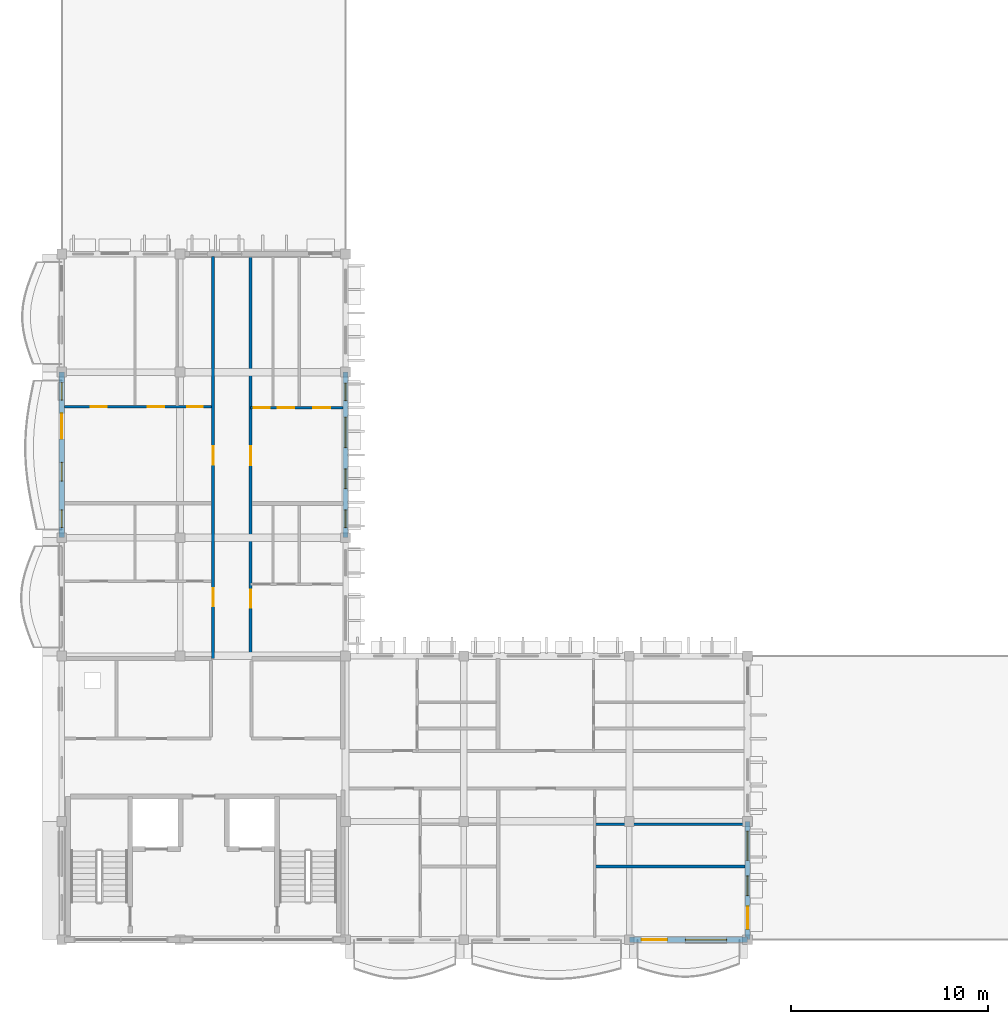
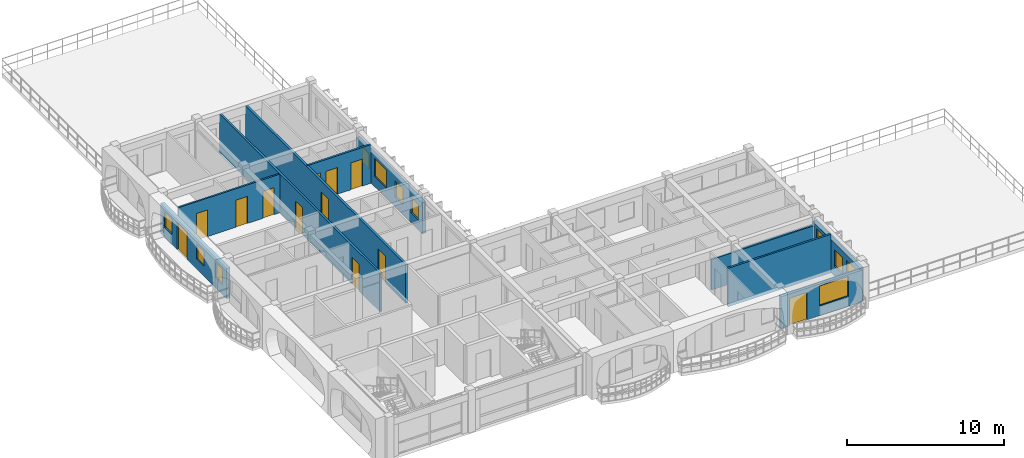
# One storey, part 15 of 59: 13 doors, 10 walls, 10 windows, 23 openings.
"""IFC4 building model written with IfcOpenShell, lengths in metres."""

import ifcopenshell
import ifcopenshell.guid

model = None  # the IFC model being written
_history = None  # IfcOwnerHistory: only IFC2X3 demands one
_inside = {}  # id of a spatial element -> (the spatial element, [elements in it])
_under = {}  # id of a project, library or spatial element -> (it, [spatial elements below it])
_declared = {}  # id of a project -> (the project, [libraries it declares])
_typed = {}  # id of a type object -> (the type object, [elements of that type])
_made_of = {}  # id of a material, layer set ... -> (it, [elements and type objects made of it])


def new_model(schema):
    """Start an empty IFC model of exactly this schema.

    Asked for "IFC4X3", IfcOpenShell would pick the latest addendum, in which some entities
    have other attributes; the version numbers below select the first issue.
    IFC2X3 requires an IfcOwnerHistory on every rooted entity: one is made here for all.
    """
    global model, _history
    if schema == "IFC4X3":
        model = ifcopenshell.file(schema_version=(4, 3, 0, 0))
    else:
        model = ifcopenshell.file(schema=schema)
    _inside.clear()
    _under.clear()
    _declared.clear()
    _typed.clear()
    _made_of.clear()
    _history = None
    if model.schema == "IFC2X3":
        org = make("IfcOrganization", Name="unknown")
        user = make(
            "IfcPersonAndOrganization",
            ThePerson=make("IfcPerson", FamilyName="unknown"),
            TheOrganization=org,
        )
        app = make(
            "IfcApplication",
            ApplicationDeveloper=org,
            Version="unknown",
            ApplicationFullName="unknown",
            ApplicationIdentifier="unknown",
        )
        _history = make(
            "IfcOwnerHistory",
            OwningUser=user,
            OwningApplication=app,
            ChangeAction="ADDED",
            CreationDate=0,
        )
    return model


def make(cls, **values):
    """One entity of the class cls with the attributes given. An attribute that is None is left unset."""
    return model.create_entity(
        cls, **{name: value for name, value in values.items() if value is not None}
    )


def rooted(cls, **values):
    """An entity with a GlobalId (a new one), such as an element, a storey or a relation."""
    return make(cls, GlobalId=ifcopenshell.guid.new(), OwnerHistory=_history, **values)


def si_unit(unit_type, name, prefix=None):
    """IfcSIUnit, for example si_unit("LENGTHUNIT", "METRE", prefix="MILLI")."""
    return make("IfcSIUnit", UnitType=unit_type, Prefix=prefix, Name=name)


def assignment(units):
    """IfcUnitAssignment: the units of a project."""
    return None if units is None else make("IfcUnitAssignment", Units=units)


def point(xyz):
    """IfcCartesianPoint."""
    return None if xyz is None else make("IfcCartesianPoint", Coordinates=xyz)


def direction(xyz):
    """IfcDirection."""
    return None if xyz is None else make("IfcDirection", DirectionRatios=xyz)


def frame(location, z_axis=None, x_axis=None):
    """IfcAxis2Placement3D, a coordinate frame: its origin and axes. An axis left out is left unset."""
    return make(
        "IfcAxis2Placement3D",
        Location=point(location),
        Axis=direction(z_axis),
        RefDirection=direction(x_axis),
    )


def frame_2d(location, x_axis=None):
    """IfcAxis2Placement2D, a coordinate frame in the plane: its origin and x axis."""
    return make(
        "IfcAxis2Placement2D", Location=point(location), RefDirection=direction(x_axis)
    )


def origin():
    """The frame at (0, 0, 0) with its axes left unset."""
    return frame((0.0, 0.0, 0.0))


def place(relative_to, where):
    """IfcLocalPlacement: puts the frame where relative to a parent placement (None: the world)."""
    return make(
        "IfcLocalPlacement", PlacementRelTo=relative_to, RelativePlacement=where
    )


def context(
    kind, dimensions, precision=None, world=None, true_north=None, identifier=None
):
    """IfcGeometricRepresentationContext, for example the 3D "Model" context."""
    return make(
        "IfcGeometricRepresentationContext",
        ContextIdentifier=identifier,
        ContextType=kind,
        CoordinateSpaceDimension=dimensions,
        Precision=precision,
        WorldCoordinateSystem=world,
        TrueNorth=true_north,
    )


def subcontext(parent, identifier, kind, view, scale=None):
    """IfcGeometricRepresentationSubContext, for example "Body" below "Model"."""
    return make(
        "IfcGeometricRepresentationSubContext",
        ContextIdentifier=identifier,
        ContextType=kind,
        ParentContext=parent,
        TargetScale=scale,
        TargetView=view,
    )


def project(units=None, contexts=None):
    """IfcProject with its units and contexts."""
    return rooted(
        "IfcProject",
        Name="project",
        RepresentationContexts=contexts,
        UnitsInContext=assignment(units),
    )


def spatial(cls, under=None, at=None, **own):
    """A site, building, storey or space (cls), placed at a placement, below another one or the project."""
    s = rooted(cls, ObjectPlacement=at, **own)
    if under is not None:
        _under.setdefault(under.id(), (under, []))[1].append(s)
    return s


def profile(cls, at=None, kind="AREA", **sizes):
    """A parametric profile (cls). Its sizes go by their IFC names, for example OverallWidth=200.0."""
    return make(cls, ProfileType=kind, Position=at, **sizes)


def rectangle(**sizes):
    """IfcRectangleProfileDef."""
    return profile("IfcRectangleProfileDef", **sizes)


def extrude(swept, where, along, depth):
    """IfcExtrudedAreaSolid: the profile swept, set in the frame where, extruded along a direction by depth."""
    return make(
        "IfcExtrudedAreaSolid",
        SweptArea=swept,
        Position=where,
        ExtrudedDirection=direction(along),
        Depth=depth,
    )


def shape(context_of_items, identifier, shape_type, items):
    """IfcShapeRepresentation: the items that make up one representation, for example the "Body"."""
    return make(
        "IfcShapeRepresentation",
        ContextOfItems=context_of_items,
        RepresentationIdentifier=identifier,
        RepresentationType=shape_type,
        Items=items,
    )


def material(Name=None, Category=None):
    """IfcMaterial."""
    return make("IfcMaterial", Name=Name, Category=Category)


def layer(
    of_material, thickness, ventilated=None, Name=None, Category=None, Priority=None
):
    """IfcMaterialLayer: one layer of a wall or slab, of a material (None: an air gap)."""
    return make(
        "IfcMaterialLayer",
        Material=of_material,
        LayerThickness=thickness,
        IsVentilated=ventilated,
        Name=Name,
        Category=Category,
        Priority=Priority,
    )


def layer_set(layers, Name=None):
    """IfcMaterialLayerSet."""
    return make("IfcMaterialLayerSet", MaterialLayers=layers, LayerSetName=Name)


def made_of(thing, what):
    """Note that an element or type object is made of a material, layer set ...; save() writes the relation."""
    if what is not None:
        _made_of.setdefault(what.id(), (what, []))[1].append(thing)
    return thing


def type_object(cls, material=None, **own):
    """A type object (cls), such as IfcWallType, which elements share."""
    return made_of(rooted(cls, **own), material)


def element(
    cls,
    number,
    at=None,
    inside=None,
    cuts=None,
    type_object=None,
    material=None,
    context=None,
    identifier="Body",
    shape_type=None,
    held_by="IfcProductDefinitionShape",
    body=None,
    shapes=None,
    **own,
):
    """One element of the class cls, such as IfcWall. Its Tag is "e" and its number.

    at: its placement. inside: the storey or other place that contains it. cuts: it is an
    opening in that element (IfcRelVoidsElement). A single representation is given by context,
    identifier, shape_type and body (its items); several are given by shapes. held_by: the class
    of the entity that holds the representations. save() writes the other relations.
    """
    e = rooted(cls, Tag="e%d" % number, ObjectPlacement=at, **own)
    if body is not None:
        shapes = [shape(context, identifier, shape_type, body)]
    if shapes is not None:
        e.Representation = make(held_by, Representations=shapes)
    if inside is not None:
        _inside.setdefault(inside.id(), (inside, []))[1].append(e)
    if cuts is not None:
        rooted(
            "IfcRelVoidsElement", RelatingBuildingElement=cuts, RelatedOpeningElement=e
        )
    if type_object is not None:
        _typed.setdefault(type_object.id(), (type_object, []))[1].append(e)
    return made_of(e, material)


def fill(opening, filler):
    """IfcRelFillsElement: the door or window that sits in an opening."""
    return rooted(
        "IfcRelFillsElement",
        RelatingOpeningElement=opening,
        RelatedBuildingElement=filler,
    )


def aggregate(whole, parts):
    """IfcRelAggregates: a whole, such as a stair, and the parts it consists of."""
    return rooted("IfcRelAggregates", RelatingObject=whole, RelatedObjects=parts)


def save(model, path):
    """Write the relations noted so far, then the file.

    IfcRelAggregates (storeys below a building ...), IfcRelContainedInSpatialStructure (elements
    in a storey), IfcRelDefinesByType, IfcRelAssociatesMaterial and IfcRelDeclares: one each for
    every whole, place, type object, material and project.
    """
    for whole, parts in _under.values():
        aggregate(whole, parts)
    for where, things in _inside.values():
        rooted(
            "IfcRelContainedInSpatialStructure",
            RelatedElements=things,
            RelatingStructure=where,
        )
    for kind, things in _typed.values():
        rooted("IfcRelDefinesByType", RelatedObjects=things, RelatingType=kind)
    for what, things in _made_of.values():
        rooted("IfcRelAssociatesMaterial", RelatedObjects=things, RelatingMaterial=what)
    for by, libraries in _declared.values():
        rooted("IfcRelDeclares", RelatingContext=by, RelatedDefinitions=libraries)
    model.write(path)


model = new_model("IFC4")

# Units and contexts
model_context = context("Model", 3, precision=1e-05, world=origin(), true_north=direction((0.0, 1.0)))
body_context = subcontext(model_context, "Body", "Model", "MODEL_VIEW")
ifc_project = project(units=[si_unit("LENGTHUNIT", "METRE"), si_unit("AREAUNIT", "SQUARE_METRE"), si_unit("VOLUMEUNIT", "CUBIC_METRE"), si_unit("PLANEANGLEUNIT", "RADIAN"), si_unit("MASSUNIT", "GRAM", prefix="KILO"), si_unit("THERMODYNAMICTEMPERATUREUNIT", "KELVIN")], contexts=[model_context])

# Site, building, storey
site_placement = place(None, origin())
site = spatial("IfcSite", under=ifc_project, at=site_placement, CompositionType="ELEMENT")
building_placement = place(site_placement, origin())
building = spatial("IfcBuilding", under=site, at=building_placement, Name="Thalorik Housing Commons", CompositionType="ELEMENT")
storey_placement = place(building_placement, frame((0.0, 0.0, 27.89990234375)))
storey = spatial("IfcBuildingStorey", under=building, at=storey_placement, Name="L08", CompositionType="ELEMENT", Elevation=27.89990234375)

# Wall, openings, doors
ifc_material_1 = material(Name="Masonry fire-rated corridor wall", Category="masonry")
ifc_layer_1 = layer(ifc_material_1, 0.14990234375, Name="Masonry fire-rated corridor wall", Category="masonry")
ifc_layer_set_1 = layer_set([ifc_layer_1], Name="Masonry fire-rated corridor wall")
wall_type_1 = type_object("IfcWallType", Name="ARC-WAL-CORR-150", PredefinedType="PARTITIONING", material=ifc_layer_set_1)
wall_1_placement = place(storey_placement, frame((16.080078125, 22.659912109375, 0.0), z_axis=(0.0, 0.0, 1.0), x_axis=(0.0, 1.0, 0.0)))
wall_1 = element("IfcWall", 1, at=wall_1_placement, inside=storey, type_object=wall_type_1, Name="L08 Block C W Corridor Wall 1", PredefinedType="PARTITIONING", context=body_context, shape_type="SweptSolid", body=[
    extrude(rectangle(XDim=20.405517578125, YDim=0.14990234375, at=frame_2d((10.20263671875, 0.0))), origin(), (0.0, 0.0, 1.0), 3.0),
])
opening_1_placement = place(wall_1_placement, frame((2.652587890625, 0.0, 0.0)))
opening_1 = element("IfcOpeningElement", 2, at=opening_1_placement, cuts=wall_1, Name="Opening ID-1902", PredefinedType="OPENING", context=body_context, shape_type="SweptSolid", body=[
    extrude(rectangle(XDim=0.919921875, YDim=2.10009765625, at=frame_2d((0.4599609375, 1.050048828125))), frame((0.0, 0.0849609375, 0.0), z_axis=(0.0, -1.0, 0.0), x_axis=(1.0, 0.0, 0.0)), (0.0, 0.0, 1.0), 0.169921875),
])
opening_2_placement = place(wall_1_placement, frame((9.85009765625, 0.0, 0.0)))
opening_2 = element("IfcOpeningElement", 3, at=opening_2_placement, cuts=wall_1, Name="Opening ID-1903", PredefinedType="OPENING", context=body_context, shape_type="SweptSolid", body=[
    extrude(rectangle(XDim=0.919921875, YDim=2.10009765625, at=frame_2d((0.4599609375, 1.050048828125))), frame((0.0, 0.0849609375, 0.0), z_axis=(0.0, -1.0, 0.0), x_axis=(1.0, 0.0, 0.0)), (0.0, 0.0, 1.0), 0.169921875),
])
ifc_material_2 = material(Name="Solid core hardwood timber", Category="wood")
door_type_1 = type_object("IfcDoorType", Name="ARC-DR-FD30-920", OperationType="NOTDEFINED", PredefinedType="DOOR", material=ifc_material_2)
door_1_placement = place(opening_1_placement, origin())
door_1 = element("IfcDoor", 4, at=door_1_placement, inside=storey, type_object=door_type_1, Name="L08 Flat CW-1A Entrance Door", OperationType="SINGLE_SWING_LEFT", OverallHeight=2.10009765625, OverallWidth=0.919921875, PredefinedType="DOOR", context=body_context, shape_type="SweptSolid", body=[
    extrude(rectangle(XDim=0.919921875, YDim=2.10009765625, at=frame_2d((0.4599609375, 1.050048828125))), frame((0.0, 0.02490234375, 0.0), z_axis=(0.0, -1.0, 0.0), x_axis=(1.0, 0.0, 0.0)), (0.0, 0.0, 1.0), 0.050048828125),
])
fill(opening_1, door_1)
door_2_placement = place(opening_2_placement, origin())
door_2 = element("IfcDoor", 5, at=door_2_placement, inside=storey, type_object=door_type_1, Name="L08 Flat CW-2A Entrance Door", OperationType="SINGLE_SWING_RIGHT", OverallHeight=2.10009765625, OverallWidth=0.919921875, PredefinedType="DOOR", context=body_context, shape_type="SweptSolid", body=[
    extrude(rectangle(XDim=0.919921875, YDim=2.10009765625, at=frame_2d((0.4599609375, 1.050048828125))), frame((0.0, 0.02490234375, 0.0), z_axis=(0.0, -1.0, 0.0), x_axis=(1.0, 0.0, 0.0)), (0.0, 0.0, 1.0), 0.050048828125),
])
fill(opening_2, door_2)

ifc_layer_2 = layer(ifc_material_1, 0.1650390625, Name="Masonry fire-rated corridor wall", Category="masonry")
ifc_layer_set_2 = layer_set([ifc_layer_2], Name="Masonry fire-rated corridor wall")
wall_type_2 = type_object("IfcWallType", Name="ARC-WAL-CORR-165", PredefinedType="PARTITIONING", material=ifc_layer_set_2)
wall_2_placement = place(storey_placement, frame((17.97998046875, 22.659912109375, 0.0), z_axis=(0.0, 0.0, 1.0), x_axis=(0.0, 1.0, 0.0)))
wall_2 = element("IfcWall", 6, at=wall_2_placement, inside=storey, type_object=wall_type_2, Name="L08 Block C W Corridor Wall 2", PredefinedType="PARTITIONING", context=body_context, shape_type="SweptSolid", body=[
    extrude(rectangle(XDim=20.405517578125, YDim=0.1650390625, at=frame_2d((10.20263671875, 0.0))), origin(), (0.0, 0.0, 1.0), 3.0),
])
opening_3_placement = place(wall_2_placement, frame((2.572509765625, 0.0, 0.0)))
opening_3 = element("IfcOpeningElement", 7, at=opening_3_placement, cuts=wall_2, Name="Opening ID-1904", PredefinedType="OPENING", context=body_context, shape_type="SweptSolid", body=[
    extrude(rectangle(XDim=0.919921875, YDim=2.10009765625, at=frame_2d((0.4599609375, 1.050048828125))), frame((0.0, 0.092529296875, 0.0), z_axis=(0.0, -1.0, 0.0), x_axis=(1.0, 0.0, 0.0)), (0.0, 0.0, 1.0), 0.18505859375),
])
opening_4_placement = place(wall_2_placement, frame((9.823974609375, 0.0, 0.0)))
opening_4 = element("IfcOpeningElement", 8, at=opening_4_placement, cuts=wall_2, Name="Opening ID-1905", PredefinedType="OPENING", context=body_context, shape_type="SweptSolid", body=[
    extrude(rectangle(XDim=0.9599609375, YDim=2.1201171875, at=frame_2d((0.47998046875, 1.06005859375))), frame((0.0, 0.092529296875, 0.0), z_axis=(0.0, -1.0, 0.0), x_axis=(1.0, 0.0, 0.0)), (0.0, 0.0, 1.0), 0.18505859375),
])
door_3_placement = place(opening_3_placement, origin())
door_3 = element("IfcDoor", 9, at=door_3_placement, inside=storey, type_object=door_type_1, Name="L08 Flat CW-1B Entrance Door", OperationType="SINGLE_SWING_LEFT", OverallHeight=2.10009765625, OverallWidth=0.919921875, PredefinedType="DOOR", context=body_context, shape_type="SweptSolid", body=[
    extrude(rectangle(XDim=0.919921875, YDim=2.10009765625, at=frame_2d((0.4599609375, 1.050048828125))), frame((0.0, 0.02490234375, 0.0), z_axis=(0.0, -1.0, 0.0), x_axis=(1.0, 0.0, 0.0)), (0.0, 0.0, 1.0), 0.050048828125),
])
fill(opening_3, door_3)
door_type_2 = type_object("IfcDoorType", Name="ARC-DR-FD30-960", OperationType="NOTDEFINED", PredefinedType="DOOR", material=ifc_material_2)
door_4_placement = place(opening_4_placement, origin())
door_4 = element("IfcDoor", 10, at=door_4_placement, inside=storey, type_object=door_type_2, Name="L08 Flat CW-2B Entrance Door", OperationType="SINGLE_SWING_RIGHT", OverallHeight=2.1201171875, OverallWidth=0.9599609375, PredefinedType="DOOR", context=body_context, shape_type="SweptSolid", body=[
    extrude(rectangle(XDim=0.9599609375, YDim=2.1201171875, at=frame_2d((0.47998046875, 1.06005859375))), frame((0.0, 0.02490234375, 0.0), z_axis=(0.0, -1.0, 0.0), x_axis=(1.0, 0.0, 0.0)), (0.0, 0.0, 1.0), 0.050048828125),
])
fill(opening_4, door_4)

# Wall, openings, windows
ifc_material_3 = material(Name="White precast concrete C40/50", Category="concrete")
ifc_layer_3 = layer(ifc_material_3, 0.264892578125, Name="White precast concrete C40/50", Category="concrete")
ifc_layer_set_3 = layer_set([ifc_layer_3], Name="White precast concrete C40/50")
wall_type_3 = type_object("IfcWallType", Name="ARC-WAL-EXT-265", PredefinedType="STANDARD", material=ifc_layer_set_3)
wall_3_placement = place(storey_placement, frame((22.800048828125, 28.800048828125, 0.0), z_axis=(0.0, 0.0, 1.0), x_axis=(0.0, 1.0, 0.0)))
wall_3 = element("IfcWall", 11, at=wall_3_placement, inside=storey, type_object=wall_type_3, Name="L08 Exterior Wall WAL-EXT-L08-C-1046", PredefinedType="STANDARD", context=body_context, shape_type="SweptSolid", body=[
    extrude(rectangle(XDim=8.39990234375, YDim=0.264892578125, at=frame_2d((4.199951171875, 0.0))), origin(), (0.0, 0.0, 1.0), 2.425048828125),
])
opening_5_placement = place(wall_3_placement, frame((0.514892578125, 0.0, 0.780029296875)))
opening_5 = element("IfcOpeningElement", 12, at=opening_5_placement, cuts=wall_3, Name="Opening W-01", PredefinedType="OPENING", context=body_context, shape_type="SweptSolid", body=[
    extrude(rectangle(XDim=0.89990234375, YDim=1.199951171875, at=frame_2d((0.449951171875, 0.60009765625))), frame((0.0, 0.142578125, 0.0), z_axis=(0.0, -1.0, 0.0), x_axis=(1.0, 0.0, 0.0)), (0.0, 0.0, 1.0), 0.284912109375),
])
opening_6_placement = place(wall_3_placement, frame((2.487060546875, 0.0, 0.780029296875)))
opening_6 = element("IfcOpeningElement", 13, at=opening_6_placement, cuts=wall_3, Name="Opening W-02", PredefinedType="OPENING", context=body_context, shape_type="SweptSolid", body=[
    extrude(rectangle(XDim=1.0, YDim=1.25, at=frame_2d((0.5, 0.625))), frame((0.0, 0.142578125, 0.0), z_axis=(0.0, -1.0, 0.0), x_axis=(1.0, 0.0, 0.0)), (0.0, 0.0, 1.0), 0.284912109375),
])
opening_7_placement = place(wall_3_placement, frame((4.56591796875, 0.0, 0.780029296875)))
opening_7 = element("IfcOpeningElement", 14, at=opening_7_placement, cuts=wall_3, Name="Opening W-12", PredefinedType="OPENING", context=body_context, shape_type="SweptSolid", body=[
    extrude(rectangle(XDim=1.550048828125, YDim=1.39990234375, at=frame_2d((0.77490234375, 0.699951171875))), frame((0.0, 0.142578125, 0.0), z_axis=(0.0, -1.0, 0.0), x_axis=(1.0, 0.0, 0.0)), (0.0, 0.0, 1.0), 0.284912109375),
])
opening_8_placement = place(wall_3_placement, frame((6.948974609375, 0.0, 0.780029296875)))
opening_8 = element("IfcOpeningElement", 15, at=opening_8_placement, cuts=wall_3, Name="Opening W-01", PredefinedType="OPENING", context=body_context, shape_type="SweptSolid", body=[
    extrude(rectangle(XDim=0.89990234375, YDim=1.199951171875, at=frame_2d((0.449951171875, 0.60009765625))), frame((0.0, 0.142578125, 0.0), z_axis=(0.0, -1.0, 0.0), x_axis=(1.0, 0.0, 0.0)), (0.0, 0.0, 1.0), 0.284912109375),
])
ifc_material_4 = material(Name="Anodised aluminium and solar-control low-E glass", Category="aluminium")
window_type_1 = type_object("IfcWindowType", Name="ARC-WIN-01", PartitioningType="SINGLE_PANEL", PredefinedType="WINDOW", material=ifc_material_4)
window_1_placement = place(opening_5_placement, origin())
window_1 = element("IfcWindow", 16, at=window_1_placement, inside=storey, type_object=window_type_1, Name="L08 Facade Window 1930", OverallHeight=1.199951171875, OverallWidth=0.89990234375, PartitioningType="SINGLE_PANEL", PredefinedType="WINDOW", context=body_context, shape_type="SweptSolid", body=[
    extrude(rectangle(XDim=0.89990234375, YDim=1.199951171875, at=frame_2d((0.449951171875, 0.60009765625))), frame((0.0, 0.030029296875, 0.0), z_axis=(0.0, -1.0, 0.0), x_axis=(1.0, 0.0, 0.0)), (0.0, 0.0, 1.0), 0.06005859375),
])
fill(opening_5, window_1)
window_2_placement = place(opening_8_placement, origin())
window_2 = element("IfcWindow", 17, at=window_2_placement, inside=storey, type_object=window_type_1, Name="L08 Facade Window 1933", OverallHeight=1.199951171875, OverallWidth=0.89990234375, PartitioningType="SINGLE_PANEL", PredefinedType="WINDOW", context=body_context, shape_type="SweptSolid", body=[
    extrude(rectangle(XDim=0.89990234375, YDim=1.199951171875, at=frame_2d((0.449951171875, 0.60009765625))), frame((0.0, 0.030029296875, 0.0), z_axis=(0.0, -1.0, 0.0), x_axis=(1.0, 0.0, 0.0)), (0.0, 0.0, 1.0), 0.06005859375),
])
fill(opening_8, window_2)
window_type_2 = type_object("IfcWindowType", Name="ARC-WIN-02", PartitioningType="SINGLE_PANEL", PredefinedType="WINDOW", material=ifc_material_4)
window_3_placement = place(opening_6_placement, origin())
window_3 = element("IfcWindow", 18, at=window_3_placement, inside=storey, type_object=window_type_2, Name="L08 Facade Window 1931", OverallHeight=1.25, OverallWidth=1.0, PartitioningType="SINGLE_PANEL", PredefinedType="WINDOW", context=body_context, shape_type="SweptSolid", body=[
    extrude(rectangle(XDim=1.0, YDim=1.25, at=frame_2d((0.5, 0.625))), frame((0.0, 0.030029296875, 0.0), z_axis=(0.0, -1.0, 0.0), x_axis=(1.0, 0.0, 0.0)), (0.0, 0.0, 1.0), 0.06005859375),
])
fill(opening_6, window_3)
window_type_3 = type_object("IfcWindowType", Name="ARC-WIN-12", PartitioningType="SINGLE_PANEL", PredefinedType="WINDOW", material=ifc_material_4)
window_4_placement = place(opening_7_placement, origin())
window_4 = element("IfcWindow", 19, at=window_4_placement, inside=storey, type_object=window_type_3, Name="L08 Facade Window 1932", OverallHeight=1.39990234375, OverallWidth=1.550048828125, PartitioningType="SINGLE_PANEL", PredefinedType="WINDOW", context=body_context, shape_type="SweptSolid", body=[
    extrude(rectangle(XDim=1.550048828125, YDim=1.39990234375, at=frame_2d((0.77490234375, 0.699951171875))), frame((0.0, 0.030029296875, 0.0), z_axis=(0.0, -1.0, 0.0), x_axis=(1.0, 0.0, 0.0)), (0.0, 0.0, 1.0), 0.06005859375),
])
fill(opening_7, window_4)

# Wall, openings, door, windows
wall_4_placement = place(storey_placement, frame((8.39990234375, 37.199951171875, 0.0), z_axis=(0.0, 0.0, 1.0), x_axis=(0.0, -1.0, 0.0)))
wall_4 = element("IfcWall", 20, at=wall_4_placement, inside=storey, type_object=wall_type_3, Name="L08 Exterior Wall WAL-EXT-L08-C-1051", PredefinedType="STANDARD", context=body_context, shape_type="SweptSolid", body=[
    extrude(rectangle(XDim=8.39990234375, YDim=0.264892578125, at=frame_2d((4.199951171875, 0.0))), origin(), (0.0, 0.0, 1.0), 2.34521484375),
])
opening_9_placement = place(wall_4_placement, frame((2.090087890625, 0.0, 0.0)))
opening_9 = element("IfcOpeningElement", 21, at=opening_9_placement, cuts=wall_4, Name="Opening ED-0351", PredefinedType="OPENING", context=body_context, shape_type="SweptSolid", body=[
    extrude(rectangle(XDim=1.300048828125, YDim=2.14990234375, at=frame_2d((0.64990234375, 1.074951171875))), frame((0.0, 0.142578125, 0.0), z_axis=(0.0, -1.0, 0.0), x_axis=(1.0, 0.0, 0.0)), (0.0, 0.0, 1.0), 0.284912109375),
])
opening_10_placement = place(wall_4_placement, frame((0.52490234375, 0.0, 0.780029296875)))
opening_10 = element("IfcOpeningElement", 22, at=opening_10_placement, cuts=wall_4, Name="Opening W-01", PredefinedType="OPENING", context=body_context, shape_type="SweptSolid", body=[
    extrude(rectangle(XDim=0.89990234375, YDim=1.199951171875, at=frame_2d((0.449951171875, 0.60009765625))), frame((0.0, 0.142578125, 0.0), z_axis=(0.0, -1.0, 0.0), x_axis=(1.0, 0.0, 0.0)), (0.0, 0.0, 1.0), 0.284912109375),
])
opening_11_placement = place(wall_4_placement, frame((4.574951171875, 0.0, 0.780029296875)))
opening_11 = element("IfcOpeningElement", 23, at=opening_11_placement, cuts=wall_4, Name="Opening W-43", PredefinedType="OPENING", context=body_context, shape_type="SweptSolid", body=[
    extrude(rectangle(XDim=0.949951171875, YDim=1.14990234375, at=frame_2d((0.47509765625, 0.574951171875))), frame((0.0, 0.142578125, 0.0), z_axis=(0.0, -1.0, 0.0), x_axis=(1.0, 0.0, 0.0)), (0.0, 0.0, 1.0), 0.284912109375),
])
opening_12_placement = place(wall_4_placement, frame((6.985107421875, 0.0, 0.780029296875)))
opening_12 = element("IfcOpeningElement", 24, at=opening_12_placement, cuts=wall_4, Name="Opening W-01", PredefinedType="OPENING", context=body_context, shape_type="SweptSolid", body=[
    extrude(rectangle(XDim=0.89990234375, YDim=1.199951171875, at=frame_2d((0.449951171875, 0.60009765625))), frame((0.0, 0.142578125, 0.0), z_axis=(0.0, -1.0, 0.0), x_axis=(1.0, 0.0, 0.0)), (0.0, 0.0, 1.0), 0.284912109375),
])
ifc_material_5 = material(Name="Anodised aluminium and laminated safety glass", Category="aluminium")
door_type_3 = type_object("IfcDoorType", Name="ARC-DR-BAL-1300", OperationType="NOTDEFINED", PredefinedType="DOOR", material=ifc_material_5)
door_5_placement = place(opening_9_placement, frame((1.300048828125, 0.0, 0.0), z_axis=(0.0, 0.0, 1.0), x_axis=(-1.0, 0.0, 0.0)))
door_5 = element("IfcDoor", 25, at=door_5_placement, inside=storey, type_object=door_type_3, Name="L08 Block C Balcony Glazed Door", OperationType="SINGLE_SWING_RIGHT", OverallHeight=2.14990234375, OverallWidth=1.300048828125, PredefinedType="DOOR", context=body_context, shape_type="SweptSolid", body=[
    extrude(rectangle(XDim=1.300048828125, YDim=2.14990234375, at=frame_2d((0.64990234375, 1.074951171875))), frame((0.0, 0.02490234375, 0.0), z_axis=(0.0, -1.0, 0.0), x_axis=(1.0, 0.0, 0.0)), (0.0, 0.0, 1.0), 0.050048828125),
])
fill(opening_9, door_5)
window_5_placement = place(opening_10_placement, origin())
window_5 = element("IfcWindow", 26, at=window_5_placement, inside=storey, type_object=window_type_1, Name="L08 Facade Window 1941", OverallHeight=1.199951171875, OverallWidth=0.89990234375, PartitioningType="SINGLE_PANEL", PredefinedType="WINDOW", context=body_context, shape_type="SweptSolid", body=[
    extrude(rectangle(XDim=0.89990234375, YDim=1.199951171875, at=frame_2d((0.449951171875, 0.60009765625))), frame((0.0, 0.030029296875, 0.0), z_axis=(0.0, -1.0, 0.0), x_axis=(1.0, 0.0, 0.0)), (0.0, 0.0, 1.0), 0.06005859375),
])
fill(opening_10, window_5)
window_6_placement = place(opening_12_placement, origin())
window_6 = element("IfcWindow", 27, at=window_6_placement, inside=storey, type_object=window_type_1, Name="L08 Facade Window 1943", OverallHeight=1.199951171875, OverallWidth=0.89990234375, PartitioningType="SINGLE_PANEL", PredefinedType="WINDOW", context=body_context, shape_type="SweptSolid", body=[
    extrude(rectangle(XDim=0.89990234375, YDim=1.199951171875, at=frame_2d((0.449951171875, 0.60009765625))), frame((0.0, 0.030029296875, 0.0), z_axis=(0.0, -1.0, 0.0), x_axis=(1.0, 0.0, 0.0)), (0.0, 0.0, 1.0), 0.06005859375),
])
fill(opening_12, window_6)
window_type_4 = type_object("IfcWindowType", Name="ARC-WIN-43", PartitioningType="SINGLE_PANEL", PredefinedType="WINDOW", material=ifc_material_4)
window_7_placement = place(opening_11_placement, origin())
window_7 = element("IfcWindow", 28, at=window_7_placement, inside=storey, type_object=window_type_4, Name="L08 Facade Window 1942", OverallHeight=1.14990234375, OverallWidth=0.949951171875, PartitioningType="SINGLE_PANEL", PredefinedType="WINDOW", context=body_context, shape_type="SweptSolid", body=[
    extrude(rectangle(XDim=0.949951171875, YDim=1.14990234375, at=frame_2d((0.47509765625, 0.574951171875))), frame((0.0, 0.030029296875, 0.0), z_axis=(0.0, -1.0, 0.0), x_axis=(1.0, 0.0, 0.0)), (0.0, 0.0, 1.0), 0.06005859375),
])
fill(opening_11, window_7)

# Wall, openings, door, window
wall_5_placement = place(storey_placement, frame((37.199951171875, 8.39990234375, 0.0), z_axis=(0.0, 0.0, 1.0), x_axis=(1.0, 0.0, 0.0)))
wall_5 = element("IfcWall", 29, at=wall_5_placement, inside=storey, type_object=wall_type_3, Name="L08 Exterior Wall WAL-EXT-L08-C-1059", PredefinedType="STANDARD", context=body_context, shape_type="SweptSolid", body=[
    extrude(rectangle(XDim=6.0, YDim=0.264892578125, at=frame_2d((3.0, 0.0))), origin(), (0.0, 0.0, 1.0), 2.47509765625),
])
opening_13_placement = place(wall_5_placement, frame((0.6201171875, 0.0, 0.0)))
opening_13 = element("IfcOpeningElement", 30, at=opening_13_placement, cuts=wall_5, Name="Opening ED-0355", PredefinedType="OPENING", context=body_context, shape_type="SweptSolid", body=[
    extrude(rectangle(XDim=1.300048828125, YDim=2.14990234375, at=frame_2d((0.64990234375, 1.074951171875))), frame((0.0, 0.142578125, 0.0), z_axis=(0.0, -1.0, 0.0), x_axis=(1.0, 0.0, 0.0)), (0.0, 0.0, 1.0), 0.284912109375),
])
opening_14_placement = place(wall_5_placement, frame((2.840087890625, 0.0, 0.780029296875)))
opening_14 = element("IfcOpeningElement", 31, at=opening_14_placement, cuts=wall_5, Name="Opening W-26", PredefinedType="OPENING", context=body_context, shape_type="SweptSolid", body=[
    extrude(rectangle(XDim=2.10009765625, YDim=1.550048828125, at=frame_2d((1.050048828125, 0.77490234375))), frame((0.0, 0.142578125, 0.0), z_axis=(0.0, -1.0, 0.0), x_axis=(1.0, 0.0, 0.0)), (0.0, 0.0, 1.0), 0.284912109375),
])
door_6_placement = place(opening_13_placement, frame((1.300048828125, 0.0, 0.0), z_axis=(0.0, 0.0, 1.0), x_axis=(-1.0, 0.0, 0.0)))
door_6 = element("IfcDoor", 32, at=door_6_placement, inside=storey, type_object=door_type_3, Name="L08 Block C Balcony Glazed Door", OperationType="SINGLE_SWING_RIGHT", OverallHeight=2.14990234375, OverallWidth=1.300048828125, PredefinedType="DOOR", context=body_context, shape_type="SweptSolid", body=[
    extrude(rectangle(XDim=1.300048828125, YDim=2.14990234375, at=frame_2d((0.64990234375, 1.074951171875))), frame((0.0, 0.02490234375, 0.0), z_axis=(0.0, -1.0, 0.0), x_axis=(1.0, 0.0, 0.0)), (0.0, 0.0, 1.0), 0.050048828125),
])
fill(opening_13, door_6)
window_type_5 = type_object("IfcWindowType", Name="ARC-WIN-26", PartitioningType="DOUBLE_PANEL_VERTICAL", PredefinedType="WINDOW", material=ifc_material_4)
window_8_placement = place(opening_14_placement, origin())
window_8 = element("IfcWindow", 33, at=window_8_placement, inside=storey, type_object=window_type_5, Name="L08 Facade Window 1955", OverallHeight=1.550048828125, OverallWidth=2.10009765625, PartitioningType="DOUBLE_PANEL_VERTICAL", PredefinedType="WINDOW", context=body_context, shape_type="SweptSolid", body=[
    extrude(rectangle(XDim=2.10009765625, YDim=1.550048828125, at=frame_2d((1.050048828125, 0.77490234375))), frame((0.0, 0.030029296875, 0.0), z_axis=(0.0, -1.0, 0.0), x_axis=(1.0, 0.0, 0.0)), (0.0, 0.0, 1.0), 0.06005859375),
])
fill(opening_14, window_8)

# Wall, openings, door, windows
wall_6_placement = place(storey_placement, frame((43.199951171875, 8.39990234375, 0.0), z_axis=(0.0, 0.0, 1.0), x_axis=(0.0, 1.0, 0.0)))
wall_6 = element("IfcWall", 34, at=wall_6_placement, inside=storey, type_object=wall_type_3, Name="L08 Exterior Wall WAL-EXT-L08-C-1060", PredefinedType="STANDARD", context=body_context, shape_type="SweptSolid", body=[
    extrude(rectangle(XDim=6.0, YDim=0.264892578125, at=frame_2d((3.0, 0.0))), origin(), (0.0, 0.0, 1.0), 2.5751953125),
])
opening_15_placement = place(wall_6_placement, frame((0.5400390625, 0.0, 0.0)))
opening_15 = element("IfcOpeningElement", 35, at=opening_15_placement, cuts=wall_6, Name="Opening ED-0356", PredefinedType="OPENING", context=body_context, shape_type="SweptSolid", body=[
    extrude(rectangle(XDim=1.14990234375, YDim=2.14990234375, at=frame_2d((0.574951171875, 1.074951171875))), frame((0.0, 0.142578125, 0.0), z_axis=(0.0, -1.0, 0.0), x_axis=(1.0, 0.0, 0.0)), (0.0, 0.0, 1.0), 0.284912109375),
])
opening_16_placement = place(wall_6_placement, frame((2.23876953125, 0.0, 0.780029296875)))
opening_16 = element("IfcOpeningElement", 36, at=opening_16_placement, cuts=wall_6, Name="Opening W-02", PredefinedType="OPENING", context=body_context, shape_type="SweptSolid", body=[
    extrude(rectangle(XDim=1.0, YDim=1.25, at=frame_2d((0.5, 0.625))), frame((0.0, 0.142578125, 0.0), z_axis=(0.0, -1.0, 0.0), x_axis=(1.0, 0.0, 0.0)), (0.0, 0.0, 1.0), 0.284912109375),
])
opening_17_placement = place(wall_6_placement, frame((4.023681640625, 0.0, 0.780029296875)))
opening_17 = element("IfcOpeningElement", 37, at=opening_17_placement, cuts=wall_6, Name="Opening W-51", PredefinedType="OPENING", context=body_context, shape_type="SweptSolid", body=[
    extrude(rectangle(XDim=1.47998046875, YDim=1.52001953125, at=frame_2d((0.739990234375, 0.760009765625))), frame((0.0, 0.142578125, 0.0), z_axis=(0.0, -1.0, 0.0), x_axis=(1.0, 0.0, 0.0)), (0.0, 0.0, 1.0), 0.284912109375),
])
door_type_4 = type_object("IfcDoorType", Name="ARC-DR-TERR-1150", OperationType="NOTDEFINED", PredefinedType="DOOR", material=ifc_material_5)
door_7_placement = place(opening_15_placement, frame((1.14990234375, 0.0, 0.0), z_axis=(0.0, 0.0, 1.0), x_axis=(-1.0, 0.0, 0.0)))
door_7 = element("IfcDoor", 38, at=door_7_placement, inside=storey, type_object=door_type_4, Name="L08 Block C L08 East Roof Terrace Access Door", OperationType="SINGLE_SWING_LEFT", OverallHeight=2.14990234375, OverallWidth=1.14990234375, PredefinedType="DOOR", context=body_context, shape_type="SweptSolid", body=[
    extrude(rectangle(XDim=1.14990234375, YDim=2.14990234375, at=frame_2d((0.574951171875, 1.074951171875))), frame((0.0, 0.02490234375, 0.0), z_axis=(0.0, -1.0, 0.0), x_axis=(1.0, 0.0, 0.0)), (0.0, 0.0, 1.0), 0.050048828125),
])
fill(opening_15, door_7)
window_9_placement = place(opening_16_placement, origin())
window_9 = element("IfcWindow", 39, at=window_9_placement, inside=storey, type_object=window_type_2, Name="L08 Facade Window 1956", OverallHeight=1.25, OverallWidth=1.0, PartitioningType="SINGLE_PANEL", PredefinedType="WINDOW", context=body_context, shape_type="SweptSolid", body=[
    extrude(rectangle(XDim=1.0, YDim=1.25, at=frame_2d((0.5, 0.625))), frame((0.0, 0.030029296875, 0.0), z_axis=(0.0, -1.0, 0.0), x_axis=(1.0, 0.0, 0.0)), (0.0, 0.0, 1.0), 0.06005859375),
])
fill(opening_16, window_9)
window_type_6 = type_object("IfcWindowType", Name="ARC-WIN-51", PartitioningType="SINGLE_PANEL", PredefinedType="WINDOW", material=ifc_material_4)
window_10_placement = place(opening_17_placement, origin())
window_10 = element("IfcWindow", 40, at=window_10_placement, inside=storey, type_object=window_type_6, Name="L08 Facade Window 1957", OverallHeight=1.52001953125, OverallWidth=1.47998046875, PartitioningType="SINGLE_PANEL", PredefinedType="WINDOW", context=body_context, shape_type="SweptSolid", body=[
    extrude(rectangle(XDim=1.47998046875, YDim=1.52001953125, at=frame_2d((0.739990234375, 0.760009765625))), frame((0.0, 0.030029296875, 0.0), z_axis=(0.0, -1.0, 0.0), x_axis=(1.0, 0.0, 0.0)), (0.0, 0.0, 1.0), 0.06005859375),
])
fill(opening_17, window_10)

# Wall, openings, doors
ifc_material_6 = material(Name="Gypsum acoustic stud partition", Category="masonry")
ifc_layer_4 = layer(ifc_material_6, 0.125, Name="Gypsum acoustic stud partition", Category="masonry")
ifc_layer_set_4 = layer_set([ifc_layer_4], Name="Gypsum acoustic stud partition")
wall_type_4 = type_object("IfcWallType", Name="ARC-WAL-PART-125", PredefinedType="PARTITIONING", material=ifc_layer_set_4)
wall_7_placement = place(storey_placement, frame((8.534423828125, 35.43994140625, 0.0), z_axis=(0.0, 0.0, 1.0), x_axis=(1.0, 0.0, 0.0)))
wall_7 = element("IfcWall", 41, at=wall_7_placement, inside=storey, type_object=wall_type_4, Name="L08 Unit 2 Spine Partition", PredefinedType="PARTITIONING", context=body_context, shape_type="SweptSolid", body=[
    extrude(rectangle(XDim=7.468505859375, YDim=0.125, at=frame_2d((3.734375, 0.0))), origin(), (0.0, 0.0, 1.0), 3.0),
])
opening_18_placement = place(wall_7_placement, frame((1.329345703125, 0.0, 0.0)))
opening_18 = element("IfcOpeningElement", 42, at=opening_18_placement, cuts=wall_7, Name="Opening ID-1896", PredefinedType="OPENING", context=body_context, shape_type="SweptSolid", body=[
    extrude(rectangle(XDim=0.820068359375, YDim=2.080078125, at=frame_2d((0.41015625, 1.0400390625))), frame((0.0, 0.072509765625, 0.0), z_axis=(0.0, -1.0, 0.0), x_axis=(1.0, 0.0, 0.0)), (0.0, 0.0, 1.0), 0.14501953125),
])
opening_19_placement = place(wall_7_placement, frame((4.224853515625, 0.0, 0.0)))
opening_19 = element("IfcOpeningElement", 43, at=opening_19_placement, cuts=wall_7, Name="Opening ID-1897", PredefinedType="OPENING", context=body_context, shape_type="SweptSolid", body=[
    extrude(rectangle(XDim=0.85009765625, YDim=2.10009765625, at=frame_2d((0.425048828125, 1.050048828125))), frame((0.0, 0.072509765625, 0.0), z_axis=(0.0, -1.0, 0.0), x_axis=(1.0, 0.0, 0.0)), (0.0, 0.0, 1.0), 0.14501953125),
])
opening_20_placement = place(wall_7_placement, frame((6.231201171875, 0.0, 0.0)))
opening_20 = element("IfcOpeningElement", 44, at=opening_20_placement, cuts=wall_7, Name="Opening ID-1898", PredefinedType="OPENING", context=body_context, shape_type="SweptSolid", body=[
    extrude(rectangle(XDim=0.800048828125, YDim=2.10009765625, at=frame_2d((0.39990234375, 1.050048828125))), frame((0.0, 0.072509765625, 0.0), z_axis=(0.0, -1.0, 0.0), x_axis=(1.0, 0.0, 0.0)), (0.0, 0.0, 1.0), 0.14501953125),
])
ifc_material_7 = material(Name="Moisture-resistant timber", Category="wood")
door_type_5 = type_object("IfcDoorType", Name="ARC-DR-INT-800", OperationType="NOTDEFINED", PredefinedType="DOOR", material=ifc_material_7)
door_8_placement = place(opening_20_placement, origin())
door_8 = element("IfcDoor", 45, at=door_8_placement, inside=storey, type_object=door_type_5, Name="L08 Accessible Bathroom Door", OperationType="SINGLE_SWING_LEFT", OverallHeight=2.10009765625, OverallWidth=0.800048828125, PredefinedType="DOOR", context=body_context, shape_type="SweptSolid", body=[
    extrude(rectangle(XDim=0.800048828125, YDim=2.10009765625, at=frame_2d((0.39990234375, 1.050048828125))), frame((0.0, 0.02490234375, 0.0), z_axis=(0.0, -1.0, 0.0), x_axis=(1.0, 0.0, 0.0)), (0.0, 0.0, 1.0), 0.050048828125),
])
fill(opening_20, door_8)
ifc_material_8 = material(Name="Engineered oak timber", Category="wood")
door_type_6 = type_object("IfcDoorType", Name="ARC-DR-INT-820", OperationType="NOTDEFINED", PredefinedType="DOOR", material=ifc_material_8)
door_9_placement = place(opening_18_placement, origin())
door_9 = element("IfcDoor", 46, at=door_9_placement, inside=storey, type_object=door_type_6, Name="L08 Double Bedroom Door", OperationType="SINGLE_SWING_LEFT", OverallHeight=2.080078125, OverallWidth=0.820068359375, PredefinedType="DOOR", context=body_context, shape_type="SweptSolid", body=[
    extrude(rectangle(XDim=0.820068359375, YDim=2.080078125, at=frame_2d((0.41015625, 1.0400390625))), frame((0.0, 0.02490234375, 0.0), z_axis=(0.0, -1.0, 0.0), x_axis=(1.0, 0.0, 0.0)), (0.0, 0.0, 1.0), 0.050048828125),
])
fill(opening_18, door_9)
door_type_7 = type_object("IfcDoorType", Name="ARC-DR-INT-850", OperationType="NOTDEFINED", PredefinedType="DOOR", material=ifc_material_8)
door_10_placement = place(opening_19_placement, origin())
door_10 = element("IfcDoor", 47, at=door_10_placement, inside=storey, type_object=door_type_7, Name="L08 Galley Kitchen Door", OperationType="SINGLE_SWING_RIGHT", OverallHeight=2.10009765625, OverallWidth=0.85009765625, PredefinedType="DOOR", context=body_context, shape_type="SweptSolid", body=[
    extrude(rectangle(XDim=0.85009765625, YDim=2.10009765625, at=frame_2d((0.425048828125, 1.050048828125))), frame((0.0, 0.02490234375, 0.0), z_axis=(0.0, -1.0, 0.0), x_axis=(1.0, 0.0, 0.0)), (0.0, 0.0, 1.0), 0.050048828125),
])
fill(opening_19, door_10)

# Wall
wall_8_placement = place(storey_placement, frame((35.491943359375, 14.251220703125, 0.0), z_axis=(0.0, 0.0, 1.0), x_axis=(1.0, 0.0, 0.0)))
element("IfcWall", 48, at=wall_8_placement, inside=storey, type_object=wall_type_4, Name="L08 Unit 2 Wet Wall", PredefinedType="PARTITIONING", context=body_context, shape_type="SweptSolid", body=[
    extrude(rectangle(XDim=7.573486328125, YDim=0.125, at=frame_2d((3.78662109375, 0.0))), origin(), (0.0, 0.0, 1.0), 2.375),
])

# Wall, openings, doors
ifc_material_9 = material(Name="Ceramic masonry partition wall", Category="masonry")
ifc_layer_5 = layer(ifc_material_9, 0.139892578125, Name="Ceramic masonry partition wall", Category="masonry")
ifc_layer_set_5 = layer_set([ifc_layer_5], Name="Ceramic masonry partition wall")
wall_type_5 = type_object("IfcWallType", Name="ARC-WAL-PART-140", PredefinedType="PARTITIONING", material=ifc_layer_set_5)
wall_9_placement = place(storey_placement, frame((17.97998046875, 35.387939453125, 0.0), z_axis=(0.0, 0.0, 1.0), x_axis=(1.0, 0.0, 0.0)))
wall_9 = element("IfcWall", 49, at=wall_9_placement, inside=storey, type_object=wall_type_5, Name="L08 Unit 2B Spine Partition", PredefinedType="PARTITIONING", context=body_context, shape_type="SweptSolid", body=[
    extrude(rectangle(XDim=4.685546875, YDim=0.139892578125, at=frame_2d((2.3427734375, 0.0))), origin(), (0.0, 0.0, 1.0), 3.0),
])
opening_21_placement = place(wall_9_placement, frame((0.171142578125, 0.0, 0.0)))
opening_21 = element("IfcOpeningElement", 50, at=opening_21_placement, cuts=wall_9, Name="Opening ID-1899", PredefinedType="OPENING", context=body_context, shape_type="SweptSolid", body=[
    extrude(rectangle(XDim=0.800048828125, YDim=2.10009765625, at=frame_2d((0.39990234375, 1.050048828125))), frame((0.0, 0.080078125, 0.0), z_axis=(0.0, -1.0, 0.0), x_axis=(1.0, 0.0, 0.0)), (0.0, 0.0, 1.0), 0.159912109375),
])
opening_22_placement = place(wall_9_placement, frame((1.3837890625, 0.0, 0.0)))
opening_22 = element("IfcOpeningElement", 51, at=opening_22_placement, cuts=wall_9, Name="Opening ID-1900", PredefinedType="OPENING", context=body_context, shape_type="SweptSolid", body=[
    extrude(rectangle(XDim=0.820068359375, YDim=2.080078125, at=frame_2d((0.41015625, 1.0400390625))), frame((0.0, 0.080078125, 0.0), z_axis=(0.0, -1.0, 0.0), x_axis=(1.0, 0.0, 0.0)), (0.0, 0.0, 1.0), 0.159912109375),
])
opening_23_placement = place(wall_9_placement, frame((3.192626953125, 0.0, 0.0)))
opening_23 = element("IfcOpeningElement", 52, at=opening_23_placement, cuts=wall_9, Name="Opening ID-1901", PredefinedType="OPENING", context=body_context, shape_type="SweptSolid", body=[
    extrude(rectangle(XDim=0.85009765625, YDim=2.10009765625, at=frame_2d((0.425048828125, 1.050048828125))), frame((0.0, 0.080078125, 0.0), z_axis=(0.0, -1.0, 0.0), x_axis=(1.0, 0.0, 0.0)), (0.0, 0.0, 1.0), 0.159912109375),
])
door_11_placement = place(opening_21_placement, origin())
door_11 = element("IfcDoor", 53, at=door_11_placement, inside=storey, type_object=door_type_5, Name="L08 Flat Bathroom Door", OperationType="SINGLE_SWING_RIGHT", OverallHeight=2.10009765625, OverallWidth=0.800048828125, PredefinedType="DOOR", context=body_context, shape_type="SweptSolid", body=[
    extrude(rectangle(XDim=0.800048828125, YDim=2.10009765625, at=frame_2d((0.39990234375, 1.050048828125))), frame((0.0, 0.02490234375, 0.0), z_axis=(0.0, -1.0, 0.0), x_axis=(1.0, 0.0, 0.0)), (0.0, 0.0, 1.0), 0.050048828125),
])
fill(opening_21, door_11)
door_12_placement = place(opening_22_placement, origin())
door_12 = element("IfcDoor", 54, at=door_12_placement, inside=storey, type_object=door_type_6, Name="L08 Galley Kitchen Door", OperationType="SINGLE_SWING_LEFT", OverallHeight=2.080078125, OverallWidth=0.820068359375, PredefinedType="DOOR", context=body_context, shape_type="SweptSolid", body=[
    extrude(rectangle(XDim=0.820068359375, YDim=2.080078125, at=frame_2d((0.41015625, 1.0400390625))), frame((0.0, 0.02490234375, 0.0), z_axis=(0.0, -1.0, 0.0), x_axis=(1.0, 0.0, 0.0)), (0.0, 0.0, 1.0), 0.050048828125),
])
fill(opening_22, door_12)
door_13_placement = place(opening_23_placement, origin())
door_13 = element("IfcDoor", 55, at=door_13_placement, inside=storey, type_object=door_type_7, Name="L08 Double Bedroom Door", OperationType="SINGLE_SWING_RIGHT", OverallHeight=2.10009765625, OverallWidth=0.85009765625, PredefinedType="DOOR", context=body_context, shape_type="SweptSolid", body=[
    extrude(rectangle(XDim=0.85009765625, YDim=2.10009765625, at=frame_2d((0.425048828125, 1.050048828125))), frame((0.0, 0.02490234375, 0.0), z_axis=(0.0, -1.0, 0.0), x_axis=(1.0, 0.0, 0.0)), (0.0, 0.0, 1.0), 0.050048828125),
])
fill(opening_23, door_13)

# Wall
wall_10_placement = place(storey_placement, frame((35.491943359375, 12.11767578125, 0.0), z_axis=(0.0, 0.0, 1.0), x_axis=(1.0, 0.0, 0.0)))
element("IfcWall", 56, at=wall_10_placement, inside=storey, type_object=wall_type_5, Name="L08 Unit 2 Bedroom Partition", PredefinedType="PARTITIONING", context=body_context, shape_type="SweptSolid", body=[
    extrude(rectangle(XDim=7.573486328125, YDim=0.139892578125, at=frame_2d((3.78662109375, 0.0))), origin(), (0.0, 0.0, 1.0), 3.0),
])

save(model, "model.ifc")
